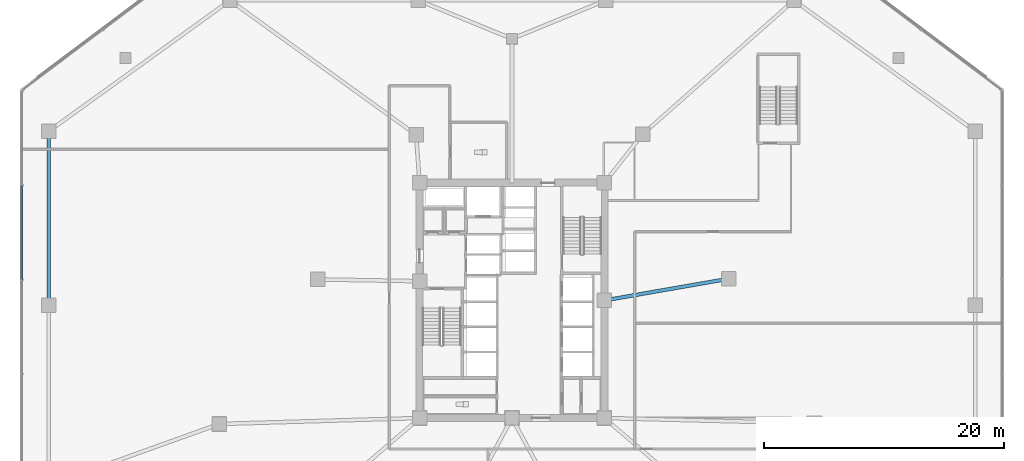
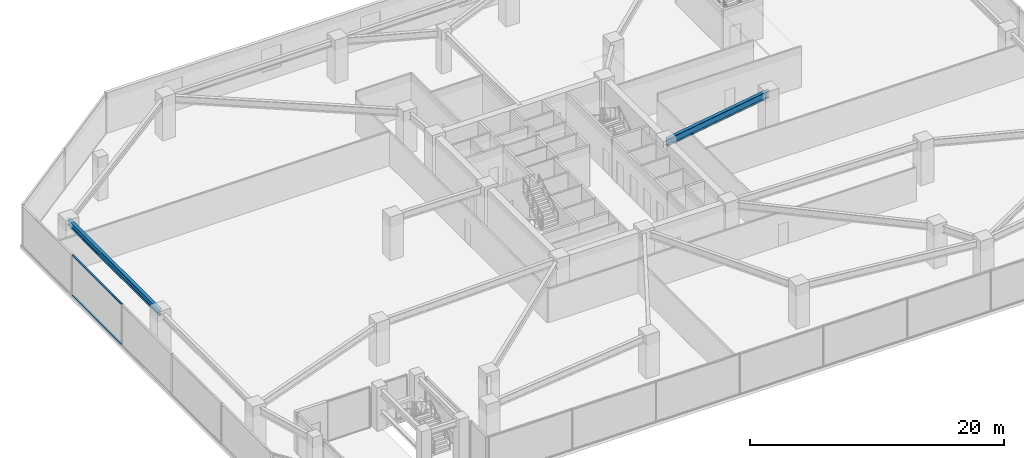
# One storey, part 5 of 21: 2 beams, 2 members, 1 element without a shape of its own.
"""IFC4 building model written with IfcOpenShell, lengths in metres."""

from ifc_helpers import new_model, si_unit, direction, frame, origin, origin_2d, place, context, subcontext, project, spatial, rectangle, i_section, extrude, material, material_profile, profile_set, type_object, element, aggregate, save


model = new_model("IFC4")

# Units and contexts
model_context = context("Model", 3, precision=1e-05, world=origin(), true_north=direction((0.0, 1.0)))
body_context = subcontext(model_context, "Body", "Model", "MODEL_VIEW")
ifc_project = project(units=[si_unit("LENGTHUNIT", "METRE"), si_unit("AREAUNIT", "SQUARE_METRE"), si_unit("VOLUMEUNIT", "CUBIC_METRE"), si_unit("PLANEANGLEUNIT", "RADIAN"), si_unit("MASSUNIT", "GRAM", prefix="KILO")], contexts=[model_context])

# Site, building, storey
site_placement = place(None, origin())
site = spatial("IfcSite", under=ifc_project, at=site_placement, CompositionType="ELEMENT")
building_placement = place(site_placement, origin())
building = spatial("IfcBuilding", under=site, at=building_placement, Name="Savorim Split Tower", CompositionType="ELEMENT")
storey_placement = place(building_placement, frame((0.0, 0.0, 5.0)))
storey = spatial("IfcBuildingStorey", under=building, at=storey_placement, Name="L01", CompositionType="ELEMENT", Elevation=5.0)

# Beams
ifc_material_1 = material(Name="Steel S355", Category="steel")
ifc_material_profile_1 = material_profile(ifc_material_1, i_section(OverallWidth=0.300048828125, OverallDepth=0.699951171875, WebThickness=0.01708984375, FlangeThickness=0.031982421875, FilletRadius=0.027099609375, at=origin_2d()), Name="HEB 700")
ifc_profile_set_1 = profile_set([ifc_material_profile_1], Name="Steel S355")
beam_type_1 = type_object("IfcBeamType", Name="BM-PRI-HEB700", PredefinedType="BEAM", material=ifc_profile_set_1)
beam_1_placement = place(storey_placement, frame((18.049560546875, 2.202392578125, 3.570068359375), z_axis=(-0.985170620197, -0.171577530876, 0.0), x_axis=(0.171577530876, -0.985170620197, 0.0)))
element("IfcBeam", 1, at=beam_1_placement, inside=storey, type_object=beam_type_1, Name="L01 Podium Primary Girder BG-27", PredefinedType="BEAM", context=body_context, shape_type="SweptSolid", body=[
    extrude(i_section(OverallWidth=0.300048828125, OverallDepth=0.699951171875, WebThickness=0.01708984375, FlangeThickness=0.031982421875, FilletRadius=0.027099609375, at=origin_2d()), origin(), (0.0, 0.0, 1.0), 10.50537109375),
])
ifc_material_profile_2 = material_profile(ifc_material_1, i_section(OverallWidth=0.300048828125, OverallDepth=0.590087890625, WebThickness=0.012939453125, FlangeThickness=0.02490234375, FilletRadius=0.027099609375, at=origin_2d()), Name="HEA 600")
ifc_profile_set_2 = profile_set([ifc_material_profile_2], Name="Steel S355")
beam_type_2 = type_object("IfcBeamType", Name="BM-SPN-HEA600", PredefinedType="SPANDREL", material=ifc_profile_set_2)
beam_2_placement = place(storey_placement, frame((-38.60009765625, 14.5, 3.625), z_axis=(0.0, -1.0, 0.0), x_axis=(1.0, 0.0, 0.0)))
element("IfcBeam", 2, at=beam_2_placement, inside=storey, type_object=beam_type_2, Name="L01 Podium Spandrel Beam 10", PredefinedType="SPANDREL", context=body_context, shape_type="SweptSolid", body=[
    extrude(i_section(OverallWidth=0.300048828125, OverallDepth=0.590087890625, WebThickness=0.012939453125, FlangeThickness=0.02490234375, FilletRadius=0.027099609375, at=origin_2d()), origin(), (0.0, 0.0, 1.0), 14.5),
])

# Curtain wall, members
ifc_material_2 = material(Name="Dark Ceramic-Fritted Insulated Glass", Category="glass")
curtain_wall_type = type_object("IfcCurtainWallType", Name="CW-POD-GLZ", PredefinedType="NOTDEFINED", material=ifc_material_2)
curtain_wall_placement = place(storey_placement, origin())
curtain_wall = element("IfcCurtainWall", 3, at=curtain_wall_placement, inside=storey, type_object=curtain_wall_type, Name="L01 Curtain Wall CW-L01-E10", PredefinedType="NOTDEFINED")
ifc_material_3 = material(Name="Charcoal Anodised Aluminium", Category="aluminium")
ifc_material_profile_3 = material_profile(ifc_material_3, rectangle(XDim=0.159912109375, YDim=0.06005859375, at=origin_2d()), Name="ALU-T 160x60")
ifc_profile_set_3 = profile_set([ifc_material_profile_3], Name="Charcoal Anodised Aluminium")
member_type = type_object("IfcMemberType", Name="CWT-160x60", PredefinedType="USERDEFINED", material=ifc_profile_set_3)
member_1_placement = place(storey_placement, frame((-40.840087890625, 9.9609375, 0.030029296875), z_axis=(0.0, -1.0, 0.0), x_axis=(1.0, 0.0, 0.0)))
member_1 = element("IfcMember", 4, at=member_1_placement, type_object=member_type, Name="CW-01 transom 2.1", ObjectType="TRANSOM", PredefinedType="USERDEFINED", context=body_context, shape_type="SweptSolid", body=[
    extrude(rectangle(XDim=0.159912109375, YDim=0.06005859375, at=origin_2d()), origin(), (0.0, 0.0, 1.0), 7.7939453125),
])
member_2_placement = place(storey_placement, frame((-40.840087890625, 9.9609375, 3.889892578125), z_axis=(0.0, -1.0, 0.0), x_axis=(1.0, 0.0, 0.0)))
member_2 = element("IfcMember", 5, at=member_2_placement, type_object=member_type, Name="CW-01 transom 2.2", ObjectType="TRANSOM", PredefinedType="USERDEFINED", context=body_context, shape_type="SweptSolid", body=[
    extrude(rectangle(XDim=0.159912109375, YDim=0.06005859375, at=origin_2d()), origin(), (0.0, 0.0, 1.0), 7.7939453125),
])
aggregate(curtain_wall, [member_1, member_2])

save(model, "model.ifc")
